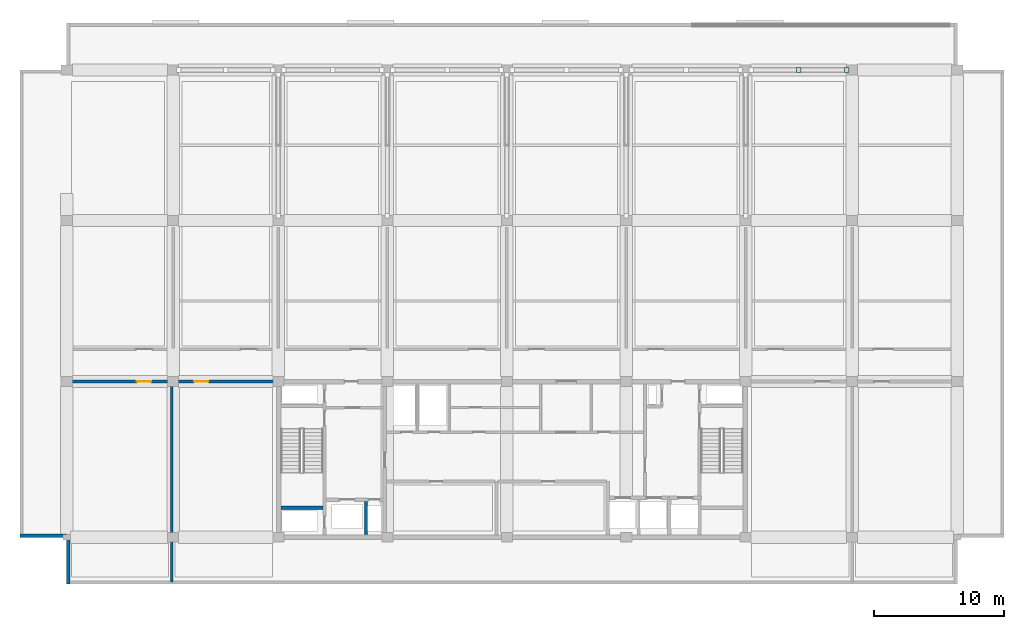
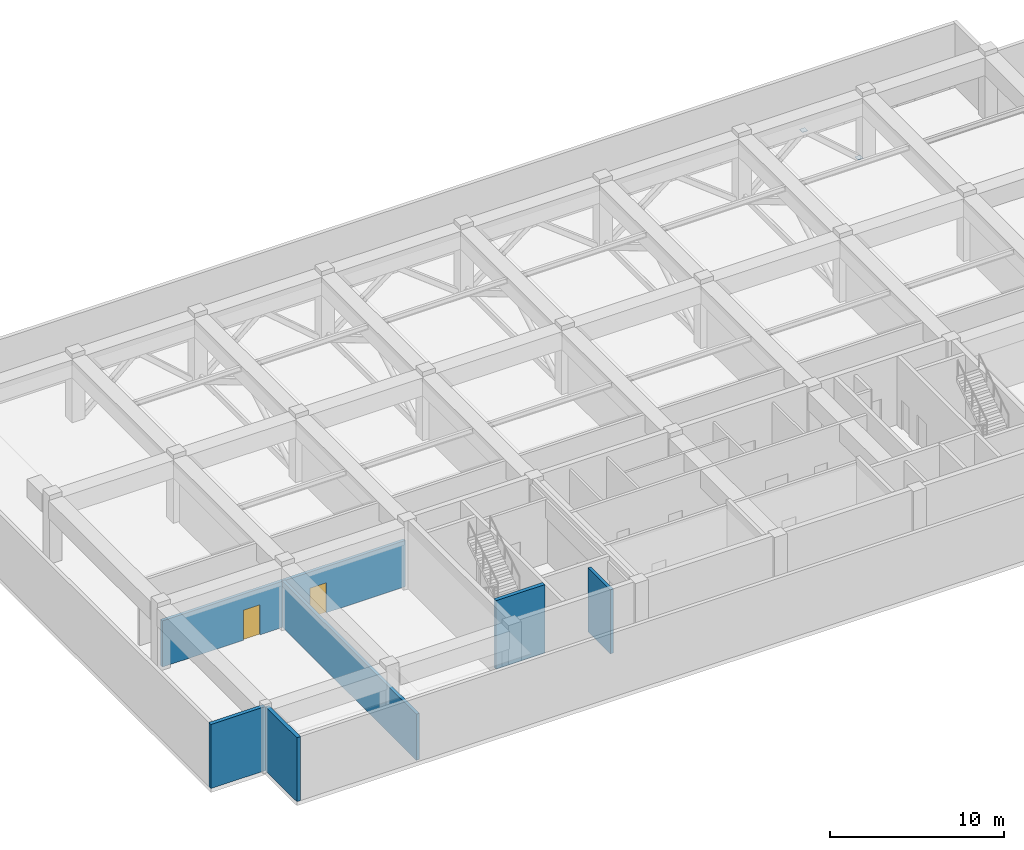
# One storey, part 4 of 11: 6 walls, 2 doors, 2 plates, 2 openings.
"""IFC4 building model written with IfcOpenShell, lengths in metres."""

import ifcopenshell
import ifcopenshell.guid

model = None  # the IFC model being written
_history = None  # IfcOwnerHistory: only IFC2X3 demands one
_inside = {}  # id of a spatial element -> (the spatial element, [elements in it])
_under = {}  # id of a project, library or spatial element -> (it, [spatial elements below it])
_declared = {}  # id of a project -> (the project, [libraries it declares])
_typed = {}  # id of a type object -> (the type object, [elements of that type])
_made_of = {}  # id of a material, layer set ... -> (it, [elements and type objects made of it])


def new_model(schema):
    """Start an empty IFC model of exactly this schema.

    Asked for "IFC4X3", IfcOpenShell would pick the latest addendum, in which some entities
    have other attributes; the version numbers below select the first issue.
    IFC2X3 requires an IfcOwnerHistory on every rooted entity: one is made here for all.
    """
    global model, _history
    if schema == "IFC4X3":
        model = ifcopenshell.file(schema_version=(4, 3, 0, 0))
    else:
        model = ifcopenshell.file(schema=schema)
    _inside.clear()
    _under.clear()
    _declared.clear()
    _typed.clear()
    _made_of.clear()
    _history = None
    if model.schema == "IFC2X3":
        org = make("IfcOrganization", Name="unknown")
        user = make(
            "IfcPersonAndOrganization",
            ThePerson=make("IfcPerson", FamilyName="unknown"),
            TheOrganization=org,
        )
        app = make(
            "IfcApplication",
            ApplicationDeveloper=org,
            Version="unknown",
            ApplicationFullName="unknown",
            ApplicationIdentifier="unknown",
        )
        _history = make(
            "IfcOwnerHistory",
            OwningUser=user,
            OwningApplication=app,
            ChangeAction="ADDED",
            CreationDate=0,
        )
    return model


def make(cls, **values):
    """One entity of the class cls with the attributes given. An attribute that is None is left unset."""
    return model.create_entity(
        cls, **{name: value for name, value in values.items() if value is not None}
    )


def rooted(cls, **values):
    """An entity with a GlobalId (a new one), such as an element, a storey or a relation."""
    return make(cls, GlobalId=ifcopenshell.guid.new(), OwnerHistory=_history, **values)


def si_unit(unit_type, name, prefix=None):
    """IfcSIUnit, for example si_unit("LENGTHUNIT", "METRE", prefix="MILLI")."""
    return make("IfcSIUnit", UnitType=unit_type, Prefix=prefix, Name=name)


def assignment(units):
    """IfcUnitAssignment: the units of a project."""
    return None if units is None else make("IfcUnitAssignment", Units=units)


def point(xyz):
    """IfcCartesianPoint."""
    return None if xyz is None else make("IfcCartesianPoint", Coordinates=xyz)


def direction(xyz):
    """IfcDirection."""
    return None if xyz is None else make("IfcDirection", DirectionRatios=xyz)


def frame(location, z_axis=None, x_axis=None):
    """IfcAxis2Placement3D, a coordinate frame: its origin and axes. An axis left out is left unset."""
    return make(
        "IfcAxis2Placement3D",
        Location=point(location),
        Axis=direction(z_axis),
        RefDirection=direction(x_axis),
    )


def frame_2d(location, x_axis=None):
    """IfcAxis2Placement2D, a coordinate frame in the plane: its origin and x axis."""
    return make(
        "IfcAxis2Placement2D", Location=point(location), RefDirection=direction(x_axis)
    )


def origin():
    """The frame at (0, 0, 0) with its axes left unset."""
    return frame((0.0, 0.0, 0.0))


def origin_2d():
    """The frame at (0, 0) in the plane with its x axis left unset."""
    return frame_2d((0.0, 0.0))


def place(relative_to, where):
    """IfcLocalPlacement: puts the frame where relative to a parent placement (None: the world)."""
    return make(
        "IfcLocalPlacement", PlacementRelTo=relative_to, RelativePlacement=where
    )


def context(
    kind, dimensions, precision=None, world=None, true_north=None, identifier=None
):
    """IfcGeometricRepresentationContext, for example the 3D "Model" context."""
    return make(
        "IfcGeometricRepresentationContext",
        ContextIdentifier=identifier,
        ContextType=kind,
        CoordinateSpaceDimension=dimensions,
        Precision=precision,
        WorldCoordinateSystem=world,
        TrueNorth=true_north,
    )


def subcontext(parent, identifier, kind, view, scale=None):
    """IfcGeometricRepresentationSubContext, for example "Body" below "Model"."""
    return make(
        "IfcGeometricRepresentationSubContext",
        ContextIdentifier=identifier,
        ContextType=kind,
        ParentContext=parent,
        TargetScale=scale,
        TargetView=view,
    )


def project(units=None, contexts=None):
    """IfcProject with its units and contexts."""
    return rooted(
        "IfcProject",
        Name="project",
        RepresentationContexts=contexts,
        UnitsInContext=assignment(units),
    )


def spatial(cls, under=None, at=None, **own):
    """A site, building, storey or space (cls), placed at a placement, below another one or the project."""
    s = rooted(cls, ObjectPlacement=at, **own)
    if under is not None:
        _under.setdefault(under.id(), (under, []))[1].append(s)
    return s


def profile(cls, at=None, kind="AREA", **sizes):
    """A parametric profile (cls). Its sizes go by their IFC names, for example OverallWidth=200.0."""
    return make(cls, ProfileType=kind, Position=at, **sizes)


def rectangle(**sizes):
    """IfcRectangleProfileDef."""
    return profile("IfcRectangleProfileDef", **sizes)


def extrude(swept, where, along, depth):
    """IfcExtrudedAreaSolid: the profile swept, set in the frame where, extruded along a direction by depth."""
    return make(
        "IfcExtrudedAreaSolid",
        SweptArea=swept,
        Position=where,
        ExtrudedDirection=direction(along),
        Depth=depth,
    )


def shape(context_of_items, identifier, shape_type, items):
    """IfcShapeRepresentation: the items that make up one representation, for example the "Body"."""
    return make(
        "IfcShapeRepresentation",
        ContextOfItems=context_of_items,
        RepresentationIdentifier=identifier,
        RepresentationType=shape_type,
        Items=items,
    )


def material(Name=None, Category=None):
    """IfcMaterial."""
    return make("IfcMaterial", Name=Name, Category=Category)


def layer(
    of_material, thickness, ventilated=None, Name=None, Category=None, Priority=None
):
    """IfcMaterialLayer: one layer of a wall or slab, of a material (None: an air gap)."""
    return make(
        "IfcMaterialLayer",
        Material=of_material,
        LayerThickness=thickness,
        IsVentilated=ventilated,
        Name=Name,
        Category=Category,
        Priority=Priority,
    )


def layer_set(layers, Name=None):
    """IfcMaterialLayerSet."""
    return make("IfcMaterialLayerSet", MaterialLayers=layers, LayerSetName=Name)


def made_of(thing, what):
    """Note that an element or type object is made of a material, layer set ...; save() writes the relation."""
    if what is not None:
        _made_of.setdefault(what.id(), (what, []))[1].append(thing)
    return thing


def type_object(cls, material=None, **own):
    """A type object (cls), such as IfcWallType, which elements share."""
    return made_of(rooted(cls, **own), material)


def element(
    cls,
    number,
    at=None,
    inside=None,
    cuts=None,
    type_object=None,
    material=None,
    context=None,
    identifier="Body",
    shape_type=None,
    held_by="IfcProductDefinitionShape",
    body=None,
    shapes=None,
    **own,
):
    """One element of the class cls, such as IfcWall. Its Tag is "e" and its number.

    at: its placement. inside: the storey or other place that contains it. cuts: it is an
    opening in that element (IfcRelVoidsElement). A single representation is given by context,
    identifier, shape_type and body (its items); several are given by shapes. held_by: the class
    of the entity that holds the representations. save() writes the other relations.
    """
    e = rooted(cls, Tag="e%d" % number, ObjectPlacement=at, **own)
    if body is not None:
        shapes = [shape(context, identifier, shape_type, body)]
    if shapes is not None:
        e.Representation = make(held_by, Representations=shapes)
    if inside is not None:
        _inside.setdefault(inside.id(), (inside, []))[1].append(e)
    if cuts is not None:
        rooted(
            "IfcRelVoidsElement", RelatingBuildingElement=cuts, RelatedOpeningElement=e
        )
    if type_object is not None:
        _typed.setdefault(type_object.id(), (type_object, []))[1].append(e)
    return made_of(e, material)


def fill(opening, filler):
    """IfcRelFillsElement: the door or window that sits in an opening."""
    return rooted(
        "IfcRelFillsElement",
        RelatingOpeningElement=opening,
        RelatedBuildingElement=filler,
    )


def aggregate(whole, parts):
    """IfcRelAggregates: a whole, such as a stair, and the parts it consists of."""
    return rooted("IfcRelAggregates", RelatingObject=whole, RelatedObjects=parts)


def save(model, path):
    """Write the relations noted so far, then the file.

    IfcRelAggregates (storeys below a building ...), IfcRelContainedInSpatialStructure (elements
    in a storey), IfcRelDefinesByType, IfcRelAssociatesMaterial and IfcRelDeclares: one each for
    every whole, place, type object, material and project.
    """
    for whole, parts in _under.values():
        aggregate(whole, parts)
    for where, things in _inside.values():
        rooted(
            "IfcRelContainedInSpatialStructure",
            RelatedElements=things,
            RelatingStructure=where,
        )
    for kind, things in _typed.values():
        rooted("IfcRelDefinesByType", RelatedObjects=things, RelatingType=kind)
    for what, things in _made_of.values():
        rooted("IfcRelAssociatesMaterial", RelatedObjects=things, RelatingMaterial=what)
    for by, libraries in _declared.values():
        rooted("IfcRelDeclares", RelatingContext=by, RelatedDefinitions=libraries)
    model.write(path)


model = new_model("IFC4")

# Units and contexts
model_context = context("Model", 3, precision=1e-05, world=origin(), true_north=direction((0.0, 1.0)))
body_context = subcontext(model_context, "Body", "Model", "MODEL_VIEW")
ifc_project = project(units=[si_unit("LENGTHUNIT", "METRE"), si_unit("AREAUNIT", "SQUARE_METRE"), si_unit("VOLUMEUNIT", "CUBIC_METRE"), si_unit("PLANEANGLEUNIT", "RADIAN"), si_unit("MASSUNIT", "GRAM", prefix="KILO")], contexts=[model_context])

# Site, building, storey
site_placement = place(None, origin())
site = spatial("IfcSite", under=ifc_project, at=site_placement, CompositionType="ELEMENT")
building_placement = place(site_placement, origin())
building = spatial("IfcBuilding", under=site, at=building_placement, Name="Korimba Cascade Residences", CompositionType="ELEMENT")
storey_placement = place(building_placement, frame((0.0, 0.0, 223.85009765625)))
storey = spatial("IfcBuildingStorey", under=building, at=storey_placement, Name="L65", CompositionType="ELEMENT", Elevation=223.85009765625)

# Plates
ifc_material_1 = material(Name="Steel S460", Category="steel")
ifc_layer_1 = layer(ifc_material_1, 0.028076171875)
ifc_layer_set_1 = layer_set([ifc_layer_1], Name="Steel S460")
plate_type = type_object("IfcPlateType", Name="PLT-ENDCAP-28", PredefinedType="USERDEFINED", material=ifc_layer_set_1)
for number, where, z_axis, x_axis, name in (
    (1, (116.199951171875, 91.199951171875, 3.2158203125), (0.0, 0.0, 1.0), (1.0, 0.0, 0.0), "L65 Brace Welded End Connection Plate 184"),
    (2, (119.875, 91.199951171875, 0.005859375), (0.0, 0.0, 1.0), (1.0, 0.0, 0.0), "L65 Brace Welded End Connection Plate 185"),
):
    element("IfcPlate", number, at=place(storey_placement, frame(where, z_axis=z_axis, x_axis=x_axis)), inside=storey, type_object=plate_type, Name=name, ObjectType="CAP PLATE", PredefinedType="USERDEFINED", context=body_context, shape_type="SweptSolid", body=[
        extrude(rectangle(XDim=0.360107421875, YDim=0.360107421875, at=origin_2d()), origin(), (0.0, 0.0, 1.0), 0.028076171875),
    ])

# Walls
ifc_material_2 = material(Name="Precast concrete C40/50", Category="concrete")
ifc_layer_2 = layer(ifc_material_2, 0.25)
ifc_layer_set_2 = layer_set([ifc_layer_2], Name="Precast concrete C40/50")
wall_type_1 = type_object("IfcWallType", Name="EW-PLNT-250", PredefinedType="SHEAR", material=ifc_layer_set_2)
wall_1_placement = place(storey_placement, frame((56.199951171875, 55.324951171875, 0.0), z_axis=(0.0, 0.0, 1.0), x_axis=(1.0, 0.0, 0.0)))
element("IfcWall", 3, at=wall_1_placement, inside=storey, type_object=wall_type_1, Name="L65 T1 Perimeter Stone Wall E10", PredefinedType="SHEAR", context=body_context, shape_type="SweptSolid", body=[
    extrude(rectangle(XDim=3.60009765625, YDim=0.25, at=frame_2d((1.800048828125, 0.0))), origin(), (0.0, 0.0, 1.0), 4.47998046875),
])
wall_2_placement = place(storey_placement, frame((59.925048828125, 55.199951171875, 0.0), z_axis=(0.0, 0.0, 1.0), x_axis=(0.0, -1.0, 0.0)))
element("IfcWall", 4, at=wall_2_placement, inside=storey, type_object=wall_type_1, Name="L65 T1 Perimeter Stone Wall E11", PredefinedType="SHEAR", context=body_context, shape_type="SweptSolid", body=[
    extrude(rectangle(XDim=3.599853515625, YDim=0.25, at=frame_2d((1.7998046875, 0.0))), origin(), (0.0, 0.0, 1.0), 4.47998046875),
])
ifc_material_3 = material(Name="Concrete C40/50", Category="concrete")
ifc_layer_3 = layer(ifc_material_3, 0.199951171875)
ifc_layer_set_3 = layer_set([ifc_layer_3], Name="Concrete C40/50")
wall_type_2 = type_object("IfcWallType", Name="WAL-PART-200", PredefinedType="PARTITIONING", material=ifc_layer_set_3)
wall_3_placement = place(storey_placement, frame((82.85009765625, 55.39990234375, 0.0), z_axis=(0.0, 0.0, 1.0), x_axis=(0.0, 1.0, 0.0)))
element("IfcWall", 5, at=wall_3_placement, inside=storey, type_object=wall_type_2, Name="L65 Partition Wall CW-L65-T1-FFLDIV", PredefinedType="PARTITIONING", context=body_context, shape_type="SweptSolid", body=[
    extrude(rectangle(XDim=2.56005859375, YDim=0.199951171875, at=frame_2d((1.280029296875, 0.0))), origin(), (0.0, 0.0, 1.0), 4.47998046875),
])
wall_4_placement = place(storey_placement, frame((67.89990234375, 51.75, 0.0), z_axis=(0.0, 0.0, 1.0), x_axis=(0.0, 1.0, 0.0)))
element("IfcWall", 6, at=wall_4_placement, inside=storey, type_object=wall_type_2, Name="L65 Partition Wall WAL-L65-T1-RWWV", PredefinedType="PARTITIONING", context=body_context, shape_type="SweptSolid", body=[
    extrude(rectangle(XDim=15.39990234375, YDim=0.199951171875, at=frame_2d((7.699951171875, 0.0))), origin(), (0.0, 0.0, 1.0), 3.22998046875),
])

# Wall, openings, doors
wall_5_placement = place(storey_placement, frame((59.85009765625, 67.199951171875, 0.0), z_axis=(0.0, 0.0, 1.0), x_axis=(1.0, 0.0, 0.0)))
wall_5 = element("IfcWall", 7, at=wall_5_placement, inside=storey, type_object=wall_type_2, Name="L65 Partition Wall WAL-L65-T1-RWWN", PredefinedType="PARTITIONING", context=body_context, shape_type="SweptSolid", body=[
    extrude(rectangle(XDim=16.099853515625, YDim=0.199951171875, at=frame_2d((8.0498046875, 0.0))), origin(), (0.0, 0.0, 1.0), 3.22998046875),
])
opening_1_placement = place(wall_5_placement, frame((5.360107421875, 0.0, 0.0)))
opening_1 = element("IfcOpeningElement", 8, at=opening_1_placement, cuts=wall_5, Name="Opening D-FD1", PredefinedType="OPENING", context=body_context, shape_type="SweptSolid", body=[
    extrude(rectangle(XDim=1.10009765625, YDim=2.10009765625, at=frame_2d((0.550048828125, 1.050048828125))), frame((0.0, 0.10986328125, 0.0), z_axis=(0.0, -1.0, 0.0), x_axis=(1.0, 0.0, 0.0)), (0.0, 0.0, 1.0), 0.219970703125),
])
opening_2_placement = place(wall_5_placement, frame((9.77001953125, 0.0, 0.0)))
opening_2 = element("IfcOpeningElement", 9, at=opening_2_placement, cuts=wall_5, Name="Opening D-FD1", PredefinedType="OPENING", context=body_context, shape_type="SweptSolid", body=[
    extrude(rectangle(XDim=1.10009765625, YDim=2.10009765625, at=frame_2d((0.550048828125, 1.050048828125))), frame((0.0, 0.10986328125, 0.0), z_axis=(0.0, -1.0, 0.0), x_axis=(1.0, 0.0, 0.0)), (0.0, 0.0, 1.0), 0.219970703125),
])
ifc_material_4 = material(Name="Fire-Rated Steel Core Door", Category="steel")
door_type = type_object("IfcDoorType", Name="DR-FD120-1100", OperationType="NOTDEFINED", PredefinedType="DOOR", material=ifc_material_4)
door_1_placement = place(opening_1_placement, origin())
door_1 = element("IfcDoor", 10, at=door_1_placement, inside=storey, type_object=door_type, Name="L65 W Tank Plant Door", OperationType="SINGLE_SWING_LEFT", OverallHeight=2.10009765625, OverallWidth=1.10009765625, PredefinedType="DOOR", context=body_context, shape_type="SweptSolid", body=[
    extrude(rectangle(XDim=1.10009765625, YDim=2.10009765625, at=frame_2d((0.550048828125, 1.050048828125))), frame((0.0, 0.02490234375, 0.0), z_axis=(0.0, -1.0, 0.0), x_axis=(1.0, 0.0, 0.0)), (0.0, 0.0, 1.0), 0.050048828125),
])
fill(opening_1, door_1)
door_2_placement = place(opening_2_placement, origin())
door_2 = element("IfcDoor", 11, at=door_2_placement, inside=storey, type_object=door_type, Name="L65 W Switchroom Door", OperationType="SINGLE_SWING_RIGHT", OverallHeight=2.10009765625, OverallWidth=1.10009765625, PredefinedType="DOOR", context=body_context, shape_type="SweptSolid", body=[
    extrude(rectangle(XDim=1.10009765625, YDim=2.10009765625, at=frame_2d((0.550048828125, 1.050048828125))), frame((0.0, 0.02490234375, 0.0), z_axis=(0.0, -1.0, 0.0), x_axis=(1.0, 0.0, 0.0)), (0.0, 0.0, 1.0), 0.050048828125),
])
fill(opening_2, door_2)

# Wall
ifc_material_5 = material(Name="Concrete C50/60", Category="concrete")
ifc_layer_4 = layer(ifc_material_5, 0.25)
ifc_layer_set_4 = layer_set([ifc_layer_4], Name="Concrete C50/60")
wall_type_3 = type_object("IfcWallType", Name="WAL-SHAFT-250", PredefinedType="SHEAR", material=ifc_layer_set_4)
wall_6_placement = place(storey_placement, frame((76.300048828125, 57.47509765625, 0.0), z_axis=(0.0, 0.0, 1.0), x_axis=(1.0, 0.0, 0.0)))
element("IfcWall", 12, at=wall_6_placement, inside=storey, type_object=wall_type_3, Name="L65 Core Shear Wall CW-L65-T1-STW1S", PredefinedType="SHEAR", context=body_context, shape_type="SweptSolid", body=[
    extrude(rectangle(XDim=3.239990234375, YDim=0.25, at=frame_2d((1.6201171875, 0.0))), origin(), (0.0, 0.0, 1.0), 4.7998046875),
])

save(model, "model.ifc")
